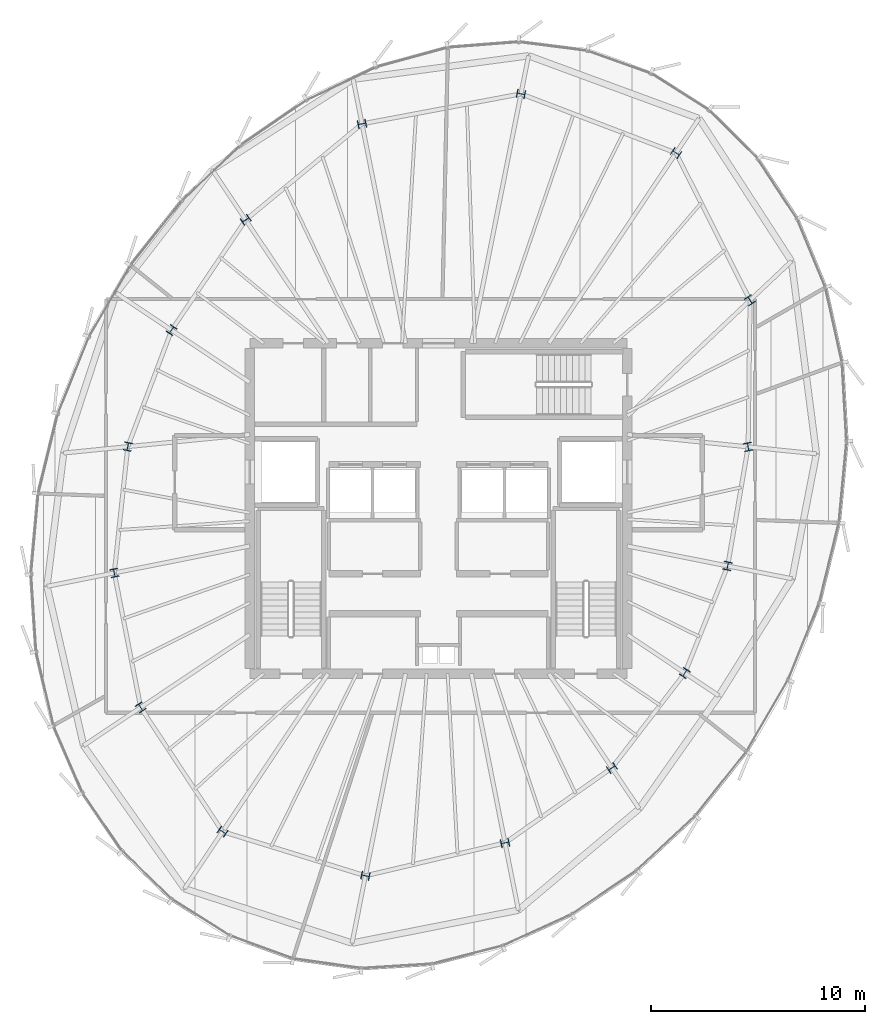
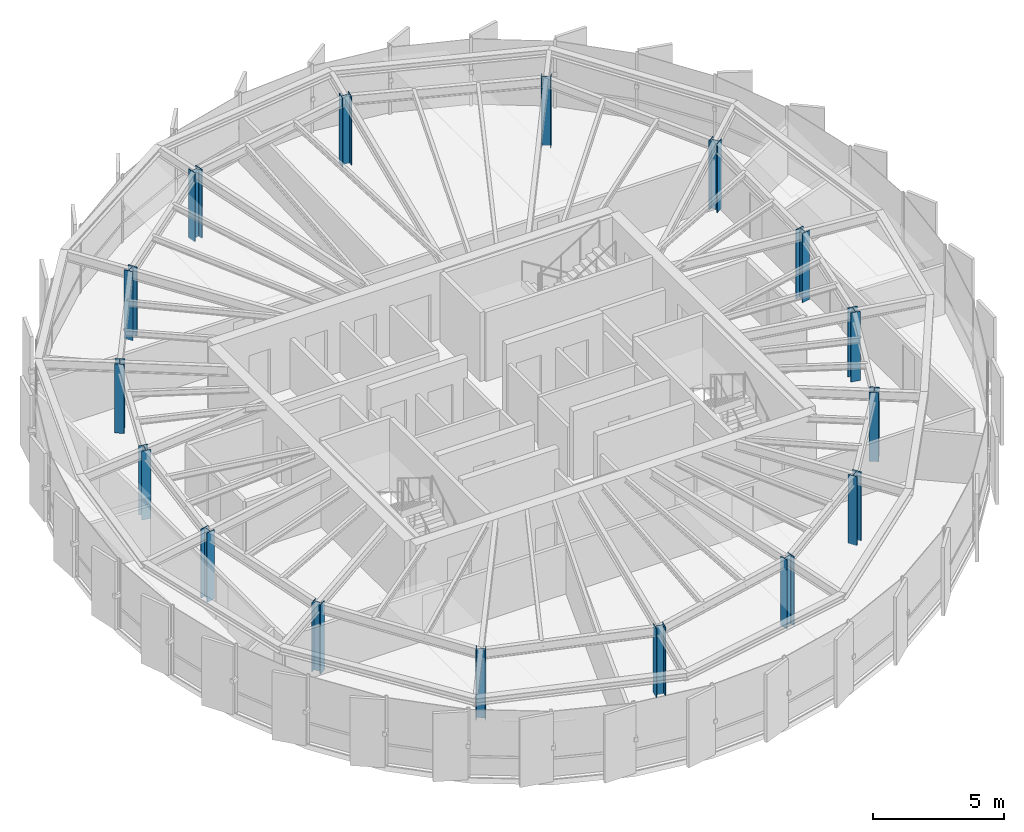
# One storey, part 1 of 31: 16 columns.
"""IFC4 building model written with IfcOpenShell, lengths in metres."""

from ifc_helpers import new_model, si_unit, direction, frame, origin, origin_2d, place, context, subcontext, project, spatial, i_section, extrude, source, transform, mapped, material, material_profile, profile_set, type_object, element, save


model = new_model("IFC4")

# Units and contexts
model_context = context("Model", 3, precision=1e-05, world=origin(), true_north=direction((0.0, 1.0)))
body_context = subcontext(model_context, "Body", "Model", "MODEL_VIEW")
ifc_project = project(units=[si_unit("LENGTHUNIT", "METRE"), si_unit("AREAUNIT", "SQUARE_METRE"), si_unit("VOLUMEUNIT", "CUBIC_METRE"), si_unit("PLANEANGLEUNIT", "RADIAN"), si_unit("MASSUNIT", "GRAM", prefix="KILO"), si_unit("THERMODYNAMICTEMPERATUREUNIT", "KELVIN")], contexts=[model_context])

# Site, building, storey
site_placement = place(None, origin())
site = spatial("IfcSite", under=ifc_project, at=site_placement, CompositionType="ELEMENT")
building_placement = place(site_placement, origin())
building = spatial("IfcBuilding", under=site, at=building_placement, Name="Kethvar Cultural Tower", CompositionType="ELEMENT")
storey_placement = place(building_placement, frame((0.0, 0.0, 290.5)))
storey = spatial("IfcBuildingStorey", under=building, at=storey_placement, Name="L77", CompositionType="ELEMENT", Elevation=290.5)

# Columns
ifc_material = material(Name="Steel S355J2", Category="steel")
ifc_material_profile = material_profile(ifc_material, i_section(OverallWidth=0.3740234375, OverallDepth=0.383056640625, WebThickness=0.0166015625, FlangeThickness=0.026123046875, FilletRadius=0.014892578125, at=origin_2d()), Name="Steel S355J2 — HD360x300")
ifc_profile_set = profile_set([ifc_material_profile], Name="Steel S355J2 — HD360x300")
column_type = type_object("IfcColumnType", Name="COL-HD300", PredefinedType="COLUMN", material=ifc_profile_set)
shared_shape = source(origin(), body_context, "Body", "SweptSolid", [
    extrude(i_section(OverallWidth=0.3740234375, OverallDepth=0.383056640625, WebThickness=0.0166015625, FlangeThickness=0.026123046875, FilletRadius=0.014892578125, at=origin_2d()), origin(), (0.0, 0.0, 1.0), 3.2099609375),
])
for number, where, z_axis, x_axis, name in (
    (1, (61.237060546875, 30.671630859375, 0.0), (0.0, 0.0, 1.0), (0.980785280403, 0.195090322016, 0.0), "L77 Mega-Column MC-01"),
    (2, (61.32568359375, 37.505859375, 0.0), (0.0, 0.0, 1.0), (0.831469612303, 0.55557023302, 0.0), "L77 Mega-Column MC-02"),
    (3, (57.875244140625, 44.375, 0.0), (0.0, 0.0, 1.0), (0.55557023302, 0.831469612303, 0.0), "L77 Mega-Column MC-03"),
    (4, (50.645263671875, 47.131591796875, 0.0), (0.0, 0.0, 1.0), (0.195090322016, 0.980785280403, 0.0), "L77 Mega-Column MC-04"),
    (5, (43.23291015625, 45.732421875, 0.0), (0.0, 0.0, 1.0), (-0.195090322016, 0.980785280403, 0.0), "L77 Mega-Column MC-05"),
    (6, (37.8095703125, 41.255126953125, 0.0), (0.0, 0.0, 1.0), (-0.55557023302, 0.831469612303, 0.0), "L77 Mega-Column MC-06"),
    (7, (34.35595703125, 36.114990234375, 0.0), (0.0, 0.0, 1.0), (-0.831469612303, 0.55557023302, 0.0), "L77 Mega-Column MC-07"),
    (8, (32.3125, 30.681884765625, 0.0), (0.0, 0.0, 1.0), (-0.980785280403, 0.195090322016, 0.0), "L77 Mega-Column MC-08"),
    (9, (31.68310546875, 24.79296875, 0.0), (0.0, 0.0, 1.0), (-0.980785280403, -0.195090322016, 0.0), "L77 Mega-Column MC-09"),
    (10, (32.912841796875, 18.52099609375, 0.0), (0.0, 0.0, 1.0), (-0.831469612303, -0.55557023302, 0.0), "L77 Mega-Column MC-10"),
    (11, (36.731201171875, 12.73095703125, 0.0), (0.0, 0.0, 1.0), (-0.55557023302, -0.831469612303, 0.0), "L77 Mega-Column MC-11"),
    (12, (43.392822265625, 10.67138671875, 0.0), (0.0, 0.0, 1.0), (-0.195090322016, -0.980785280403, 0.0), "L77 Mega-Column MC-12"),
    (13, (49.901611328125, 12.206787109375, 0.0), (0.0, 0.0, 1.0), (0.195090322016, -0.980785280403, 0.0), "L77 Mega-Column MC-13"),
    (14, (54.885009765625, 15.7001953125, 0.0), (0.0, 0.0, 1.0), (0.55557023302, -0.831469612303, 0.0), "L77 Mega-Column MC-14"),
    (15, (58.287109375, 20.12451171875, 0.0), (0.0, 0.0, 1.0), (0.831469612303, -0.55557023302, 0.0), "L77 Mega-Column MC-15"),
    (16, (60.28369140625, 25.117919921875, 0.0), (0.0, 0.0, 1.0), (0.980785280403, -0.195090322016, 0.0), "L77 Mega-Column MC-16"),
):
    element("IfcColumn", number, at=place(storey_placement, frame(where, z_axis=z_axis, x_axis=x_axis)), inside=storey, type_object=column_type, Name=name, PredefinedType="COLUMN", context=body_context, shape_type="MappedRepresentation", body=[
        mapped(shared_shape, transform((0.0, 0.0, 0.0), scale=1.0)),
    ])

save(model, "model.ifc")
